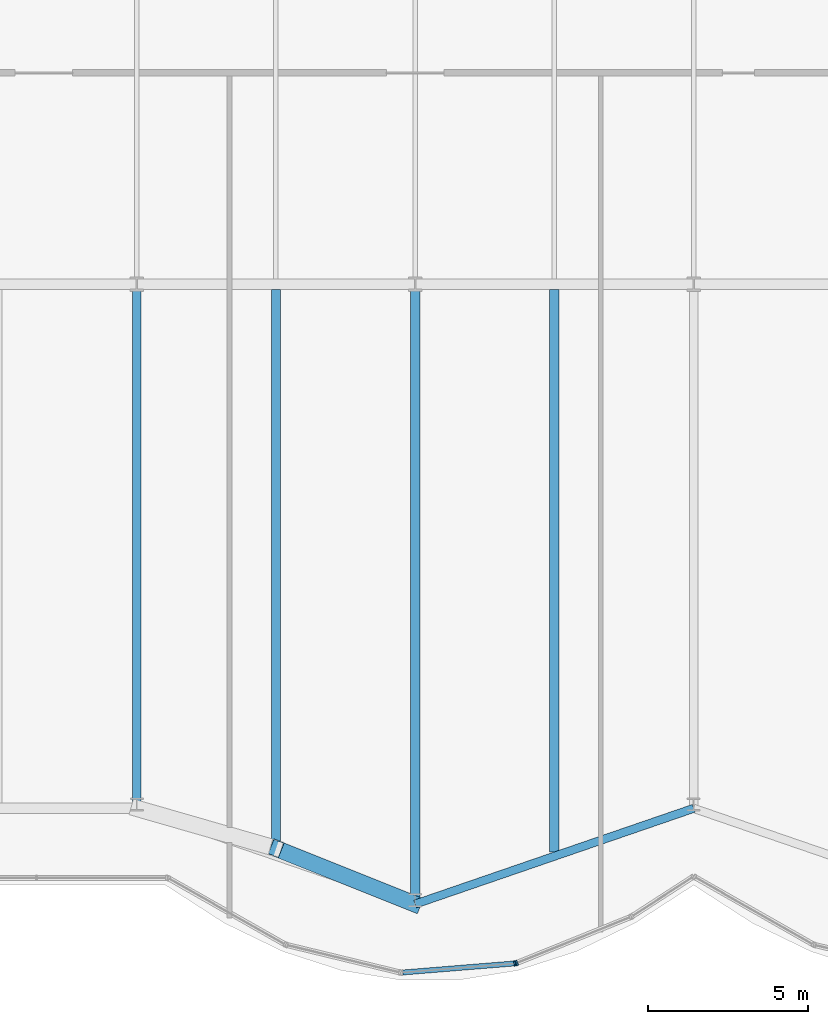
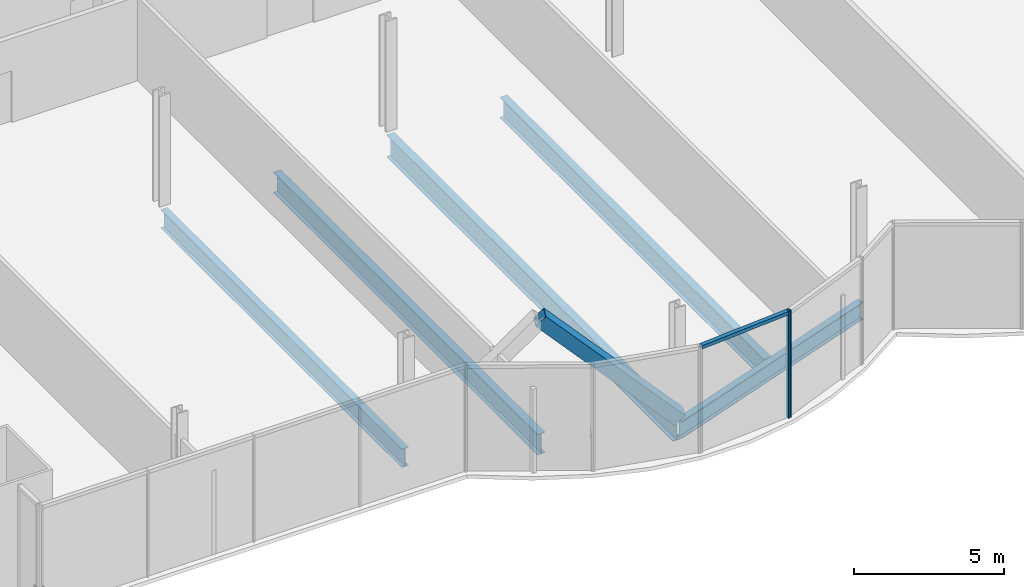
# One storey, part 5 of 21: 5 beams, 4 members, 1 element without a shape of its own.
"""IFC4 building model written with IfcOpenShell, lengths in metres."""

from ifc_helpers import new_model, si_unit, direction, frame, origin, origin_2d, place, context, subcontext, project, spatial, rectangle, hollow_rectangle, i_section, extrude, material, material_profile, profile_set, type_object, element, aggregate, save


model = new_model("IFC4")

# Units and contexts
model_context = context("Model", 3, precision=1e-05, world=origin(), true_north=direction((0.0, 1.0)))
body_context = subcontext(model_context, "Body", "Model", "MODEL_VIEW")
ifc_project = project(units=[si_unit("LENGTHUNIT", "METRE"), si_unit("AREAUNIT", "SQUARE_METRE"), si_unit("VOLUMEUNIT", "CUBIC_METRE"), si_unit("PLANEANGLEUNIT", "RADIAN"), si_unit("MASSUNIT", "GRAM", prefix="KILO")], contexts=[model_context])

# Site, building, storey
site_placement = place(None, origin())
site = spatial("IfcSite", under=ifc_project, at=site_placement, CompositionType="ELEMENT")
building_placement = place(site_placement, origin())
building = spatial("IfcBuilding", under=site, at=building_placement, Name="Bicima Exchange Tower", CompositionType="ELEMENT")
storey_placement = place(building_placement, frame((0.0, 0.0, 57.5)))
storey = spatial("IfcBuildingStorey", under=building, at=storey_placement, Name="L11", CompositionType="ELEMENT", Elevation=57.5)

# Beams
ifc_material_1 = material(Name="Steel ASTM A992 Gr 50", Category="steel")
ifc_material_profile_1 = material_profile(ifc_material_1, i_section(OverallWidth=0.2666015625, OverallDepth=0.75439453125, WebThickness=0.01318359375, FlangeThickness=0.01708984375, at=origin_2d()))
ifc_profile_set_1 = profile_set([ifc_material_profile_1], Name="Steel ASTM A992 Gr 50")
beam_type_1 = type_object("IfcBeamType", Name="Floor beam W30x99", PredefinedType="JOIST", material=ifc_profile_set_1)
beam_1_placement = place(storey_placement, frame((-17.39990234375, -22.16259765625, -0.527099609375), z_axis=(0.0, -1.0, 0.0), x_axis=(1.0, 0.0, 0.0)))
element("IfcBeam", 1, at=beam_1_placement, inside=storey, type_object=beam_type_1, Name="Floor beam", PredefinedType="JOIST", context=body_context, shape_type="SweptSolid", body=[
    extrude(i_section(OverallWidth=0.2666015625, OverallDepth=0.75439453125, WebThickness=0.01318359375, FlangeThickness=0.01708984375, at=origin_2d()), origin(), (0.0, 0.0, 1.0), 16.0546875),
])
ifc_material_profile_2 = material_profile(ifc_material_1, i_section(OverallWidth=0.2919921875, OverallDepth=0.835693359375, WebThickness=0.013916015625, FlangeThickness=0.018798828125, at=origin_2d()))
ifc_profile_set_2 = profile_set([ifc_material_profile_2], Name="Steel ASTM A992 Gr 50")
beam_type_2 = type_object("IfcBeamType", Name="Floor beam W33x118", PredefinedType="JOIST", material=ifc_profile_set_2)
for number, where, z_axis, x_axis, name in (
    (2, (-13.050048828125, -22.16259765625, -0.56787109375), (0.0, -1.0, 0.0), (1.0, 0.0, 0.0), "Floor beam"),
    (3, (-4.35009765625, -22.16259765625, -0.56787109375), (0.0, -1.0, 0.0), (1.0, 0.0, 0.0), "Floor beam"),
):
    element("IfcBeam", number, at=place(storey_placement, frame(where, z_axis=z_axis, x_axis=x_axis)), inside=storey, type_object=beam_type_2, Name=name, PredefinedType="JOIST", context=body_context, shape_type="SweptSolid", body=[
        extrude(i_section(OverallWidth=0.2919921875, OverallDepth=0.835693359375, WebThickness=0.013916015625, FlangeThickness=0.018798828125, at=origin_2d()), origin(), (0.0, 0.0, 1.0), 17.577392578125),
    ])
ifc_material_profile_3 = material_profile(ifc_material_1, i_section(OverallWidth=0.3046875, OverallDepth=0.904296875, WebThickness=0.01513671875, FlangeThickness=0.02001953125, at=origin_2d()))
ifc_profile_set_3 = profile_set([ifc_material_profile_3], Name="Steel ASTM A992 Gr 50")
beam_type_3 = type_object("IfcBeamType", Name="Floor beam W36x135", PredefinedType="JOIST", material=ifc_profile_set_3)
beam_2_placement = place(storey_placement, frame((-8.699951171875, -22.16259765625, -0.60205078125), z_axis=(0.0, -1.0, 0.0), x_axis=(1.0, 0.0, 0.0)))
element("IfcBeam", 4, at=beam_2_placement, inside=storey, type_object=beam_type_3, Name="Floor beam", PredefinedType="JOIST", context=body_context, shape_type="SweptSolid", body=[
    extrude(i_section(OverallWidth=0.3046875, OverallDepth=0.904296875, WebThickness=0.01513671875, FlangeThickness=0.02001953125, at=origin_2d()), origin(), (0.0, 0.0, 1.0), 19.07275390625),
])
ifc_material_profile_4 = material_profile(ifc_material_1, i_section(OverallWidth=0.256591796875, OverallDepth=0.693359375, WebThickness=0.014404296875, FlangeThickness=0.023681640625, at=origin_2d()))
ifc_profile_set_4 = profile_set([ifc_material_profile_4], Name="Steel ASTM A992 Gr 50")
beam_type_4 = type_object("IfcBeamType", Name="Front girder W27x114", PredefinedType="BEAM", material=ifc_profile_set_4)
beam_3_placement = place(storey_placement, frame((-8.699951171875, -41.37109375, -0.49658203125), z_axis=(0.945666456746, 0.325138359143, 0.0), x_axis=(-0.325138359143, 0.945666456746, 0.0)))
element("IfcBeam", 5, at=beam_3_placement, inside=storey, type_object=beam_type_4, Name="Front girder", PredefinedType="BEAM", context=body_context, shape_type="SweptSolid", body=[
    extrude(i_section(OverallWidth=0.256591796875, OverallDepth=0.693359375, WebThickness=0.014404296875, FlangeThickness=0.023681640625, at=origin_2d()), origin(), (0.0, 0.0, 1.0), 9.19970703125),
])

# Curtain wall, members
ifc_material_2 = material(Name="Anodised bronze aluminium", Category="aluminium")
curtain_wall_type = type_object("IfcCurtainWallType", Name="Front glass wall", PredefinedType="NOTDEFINED", material=ifc_material_2)
curtain_wall_placement = place(storey_placement, origin())
curtain_wall = element("IfcCurtainWall", 6, at=curtain_wall_placement, inside=storey, type_object=curtain_wall_type, Name="Front glass wall L11 run 6", PredefinedType="NOTDEFINED")
ifc_material_profile_5 = material_profile(ifc_material_2, rectangle(XDim=0.159912109375, YDim=0.06005859375, at=origin_2d()))
ifc_profile_set_5 = profile_set([ifc_material_profile_5], Name="Anodised bronze aluminium")
member_type_1 = type_object("IfcMemberType", Name="Front glass wall mullion 60 x 160", PredefinedType="MULLION", material=ifc_profile_set_5)
member_1_placement = place(storey_placement, frame((-5.583984375, -43.224853515625, 0.0), z_axis=(0.0, 0.0, 1.0), x_axis=(-0.080588612633, 0.99674744821, 0.0)))
member_1 = element("IfcMember", 7, at=member_1_placement, type_object=member_type_1, Name="Front glass wall mullion 2", PredefinedType="MULLION", context=body_context, shape_type="SweptSolid", body=[
    extrude(rectangle(XDim=0.159912109375, YDim=0.06005859375, at=origin_2d()), origin(), (0.0, 0.0, 1.0), 4.35009765625),
])
member_2_placement = place(storey_placement, frame((-5.526123046875, -43.211181640625, 0.0), z_axis=(0.0, 0.0, 1.0), x_axis=(-0.374705304, 0.92714396679, 0.0)))
member_2 = element("IfcMember", 8, at=member_2_placement, type_object=member_type_1, Name="Front glass wall mullion 1", PredefinedType="MULLION", context=body_context, shape_type="SweptSolid", body=[
    extrude(rectangle(XDim=0.159912109375, YDim=0.06005859375, at=origin_2d()), origin(), (0.0, 0.0, 1.0), 4.35009765625),
])
ifc_material_profile_6 = material_profile(ifc_material_2, rectangle(XDim=0.159912109375, YDim=0.139892578125, at=origin_2d()))
ifc_profile_set_6 = profile_set([ifc_material_profile_6], Name="Anodised bronze aluminium")
member_type_2 = type_object("IfcMemberType", Name="Front glass wall transom 140 x 160", PredefinedType="USERDEFINED", material=ifc_profile_set_6)
member_3_placement = place(storey_placement, frame((-9.08837890625, -43.50830078125, 4.280029296875), z_axis=(0.9967456465, 0.080610893699, 0.0), x_axis=(-0.080610893699, 0.9967456465, 0.0)))
member_3 = element("IfcMember", 9, at=member_3_placement, type_object=member_type_2, Name="Front glass wall transom 1.1", ObjectType="TRANSOM", PredefinedType="USERDEFINED", context=body_context, shape_type="SweptSolid", body=[
    extrude(rectangle(XDim=0.159912109375, YDim=0.139892578125, at=origin_2d()), origin(), (0.0, 0.0, 1.0), 3.48583984375),
])
aggregate(curtain_wall, [member_1, member_3, member_2])

# Member
ifc_material_3 = material(Name="Steel ASTM A572 Gr 50", Category="steel")
ifc_material_profile_7 = material_profile(ifc_material_3, hollow_rectangle(XDim=0.508056640625, YDim=0.508056640625, WallThickness=0.017822265625, at=origin_2d()))
ifc_profile_set_7 = profile_set([ifc_material_profile_7], Name="Steel ASTM A572 Gr 50")
member_type_3 = type_object("IfcMemberType", Name="Mega brace HSS20x20x3/4", PredefinedType="BRACE", material=ifc_profile_set_7)
member_4_placement = place(storey_placement, frame((-8.699951171875, -41.37109375, 0.0), z_axis=(-0.669648363719, 0.26777666357, 0.692724135148), x_axis=(-0.371291842786, -0.928516218211, 0.0)))
element("IfcMember", 10, at=member_4_placement, inside=storey, type_object=member_type_3, Name="Mega brace front", PredefinedType="BRACE", context=body_context, shape_type="SweptSolid", body=[
    extrude(hollow_rectangle(XDim=0.508056640625, YDim=0.508056640625, WallThickness=0.017822265625, at=origin_2d()), origin(), (0.0, 0.0, 1.0), 6.49609375),
])

save(model, "model.ifc")
